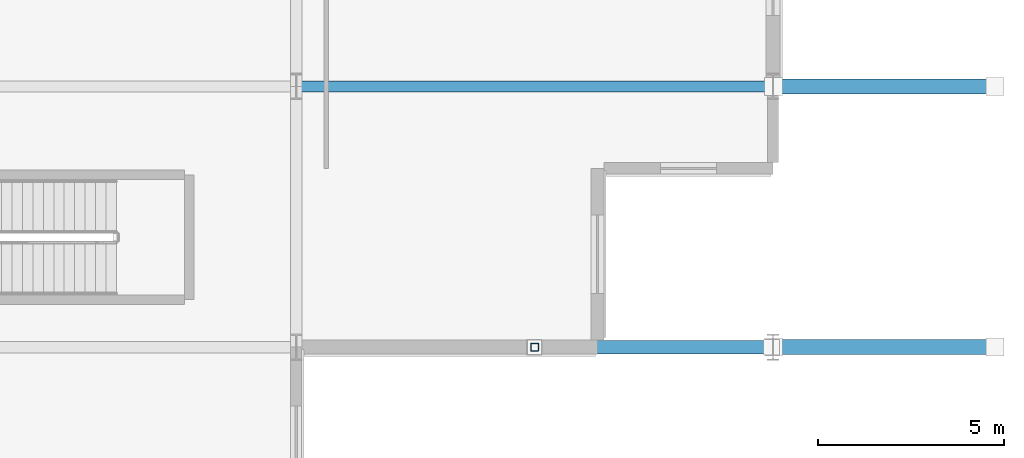
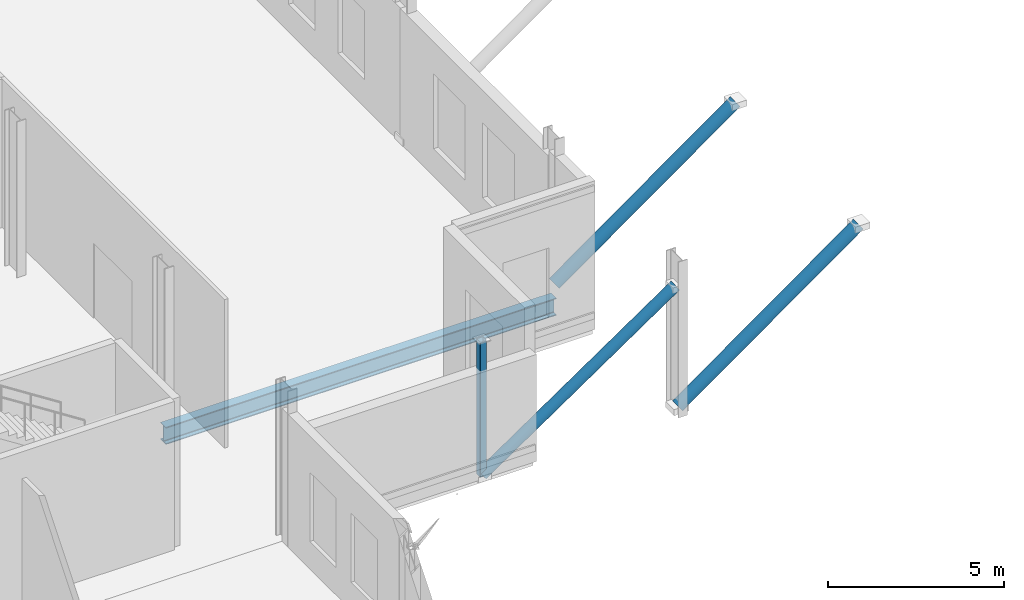
# One storey, part 82 of 147: 4 members, 1 beam.
"""IFC4 building model written with IfcOpenShell, lengths in metres."""

from ifc_helpers import new_model, si_unit, direction, frame, origin, origin_2d, place, context, subcontext, project, spatial, hollow_rectangle, hollow_circle, i_section, extrude, material, material_profile, profile_set, type_object, element, save


model = new_model("IFC4")

# Units and contexts
model_context = context("Model", 3, precision=1e-05, world=origin(), true_north=direction((0.0, 1.0)))
body_context = subcontext(model_context, "Body", "Model", "MODEL_VIEW")
ifc_project = project(units=[si_unit("LENGTHUNIT", "METRE"), si_unit("AREAUNIT", "SQUARE_METRE"), si_unit("VOLUMEUNIT", "CUBIC_METRE"), si_unit("PLANEANGLEUNIT", "RADIAN"), si_unit("MASSUNIT", "GRAM", prefix="KILO")], contexts=[model_context])

# Site, building, storey
site_placement = place(None, origin())
site = spatial("IfcSite", under=ifc_project, at=site_placement, CompositionType="ELEMENT")
building_placement = place(site_placement, origin())
building = spatial("IfcBuilding", under=site, at=building_placement, Name="Vekula Escarpment Museum", CompositionType="ELEMENT")
storey_placement = place(building_placement, frame((0.0, 0.0, 7.800048828125)))
storey = spatial("IfcBuildingStorey", under=building, at=storey_placement, Name="L02", CompositionType="ELEMENT", Elevation=7.800048828125)

# Beam
ifc_material_1 = material(Name="Steel S355", Category="steel")
ifc_material_profile_1 = material_profile(ifc_material_1, i_section(OverallWidth=0.300048828125, OverallDepth=0.60009765625, WebThickness=0.015380859375, FlangeThickness=0.030029296875, FilletRadius=0.027099609375, at=origin_2d()), Name="HEB 600")
ifc_profile_set_1 = profile_set([ifc_material_profile_1], Name="Steel S355")
beam_type = type_object("IfcBeamType", Name="BM-GIRD-HEB600", PredefinedType="BEAM", material=ifc_profile_set_1)
beam_placement = place(storey_placement, frame((179.0, 59.60009765625, -0.56005859375), z_axis=(1.0, 0.0, 0.0), x_axis=(0.0, 1.0, 0.0)))
element("IfcBeam", 1, at=beam_placement, inside=storey, type_object=beam_type, Name="Beam X L02 0886", PredefinedType="BEAM", context=body_context, shape_type="SweptSolid", body=[
    extrude(i_section(OverallWidth=0.300048828125, OverallDepth=0.60009765625, WebThickness=0.015380859375, FlangeThickness=0.030029296875, FilletRadius=0.027099609375, at=origin_2d()), origin(), (0.0, 0.0, 1.0), 12.800048828125),
])

# Members
ifc_material_2 = material(Name="Steel S355", Category="steel")
ifc_material_profile_2 = material_profile(ifc_material_2, hollow_circle(Radius=0.203125, WallThickness=0.02001953125, at=origin_2d()), Name="CHS 406.4x20")
ifc_profile_set_2 = profile_set([ifc_material_profile_2], Name="Steel S355")
member_type_1 = type_object("IfcMemberType", Name="MB-ELIB-EXT", PredefinedType="STRUT", material=ifc_profile_set_2)
for number, where, z_axis, x_axis, name in (
    (2, (191.820068359375, 52.60009765625, 0.14990234375), (0.814102450674, 0.0, 0.58072127549), (0.0, 1.0, 0.0), "Cumba Exterior Elibogrunde Strut 01"),
    (3, (191.820068359375, 59.60009765625, 0.14990234375), (0.814102450674, 0.0, 0.58072127549), (0.0, 1.0, 0.0), "Cumba Exterior Elibogrunde Strut 02"),
):
    element("IfcMember", number, at=place(storey_placement, frame(where, z_axis=z_axis, x_axis=x_axis)), inside=storey, type_object=member_type_1, Name=name, PredefinedType="STRUT", context=body_context, shape_type="SweptSolid", body=[
        extrude(hollow_circle(Radius=0.203125, WallThickness=0.02001953125, at=origin_2d()), origin(), (0.0, 0.0, 1.0), 7.283935546875),
    ])
ifc_material_3 = material(Name="Steel S355", Category="steel")
ifc_material_profile_3 = material_profile(ifc_material_3, hollow_circle(Radius=0.177734375, WallThickness=0.01611328125, at=origin_2d()), Name="CHS 355.6x16")
ifc_profile_set_3 = profile_set([ifc_material_profile_3], Name="Steel S355")
member_type_2 = type_object("IfcMemberType", Name="MB-ELIB-STRUT", PredefinedType="STRUT", material=ifc_profile_set_3)
member_1_placement = place(storey_placement, frame((185.39990234375, 52.60009765625, 0.02001953125), z_axis=(0.826213901709, 0.0, 0.563356537747), x_axis=(0.0, 1.0, 0.0)))
element("IfcMember", 4, at=member_1_placement, inside=storey, type_object=member_type_2, Name="Cumba Back-Span Elibogrunde Strut 01", PredefinedType="STRUT", context=body_context, shape_type="SweptSolid", body=[
    extrude(hollow_circle(Radius=0.177734375, WallThickness=0.01611328125, at=origin_2d()), origin(), (0.0, 0.0, 1.0), 7.685791015625),
])
ifc_material_4 = material(Name="Steel S355", Category="steel")
ifc_material_profile_4 = material_profile(ifc_material_4, hollow_rectangle(XDim=0.219970703125, YDim=0.219970703125, WallThickness=0.011962890625, InnerFilletRadius=0.011962890625, OuterFilletRadius=0.02392578125, at=origin_2d()), Name="SHS 220x220x12")
ifc_profile_set_4 = profile_set([ifc_material_profile_4], Name="Steel S355")
member_type_3 = type_object("IfcMemberType", Name="MB-POST-SHS220", PredefinedType="STRUT", material=ifc_profile_set_4)
member_2_placement = place(storey_placement, frame((185.39990234375, 52.60009765625, 0.02001953125), z_axis=(0.0, 0.0, 1.0), x_axis=(1.0, 0.0, 0.0)))
element("IfcMember", 5, at=member_2_placement, inside=storey, type_object=member_type_3, Name="Cumba Back-Span Tie Post 01", PredefinedType="STRUT", context=body_context, shape_type="SweptSolid", body=[
    extrude(hollow_rectangle(XDim=0.219970703125, YDim=0.219970703125, WallThickness=0.011962890625, InnerFilletRadius=0.011962890625, OuterFilletRadius=0.02392578125, at=origin_2d()), origin(), (0.0, 0.0, 1.0), 4.679931640625),
])

save(model, "model.ifc")
